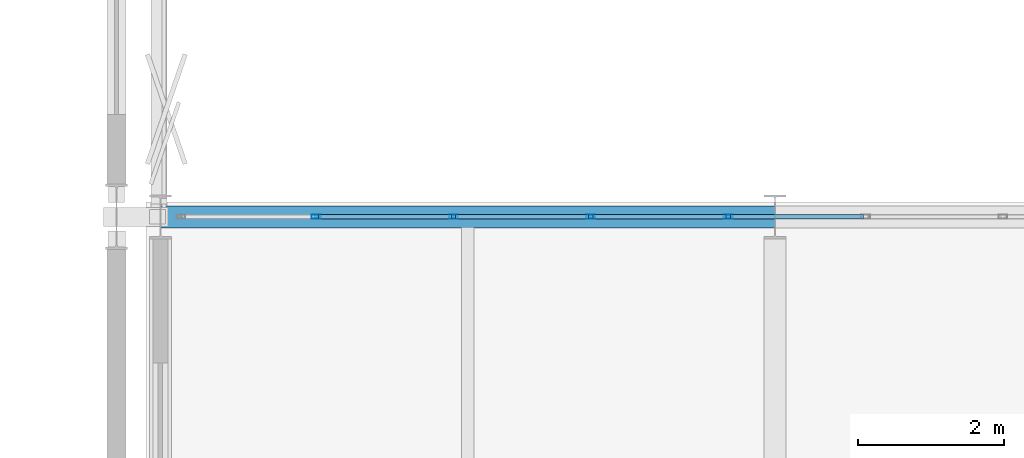
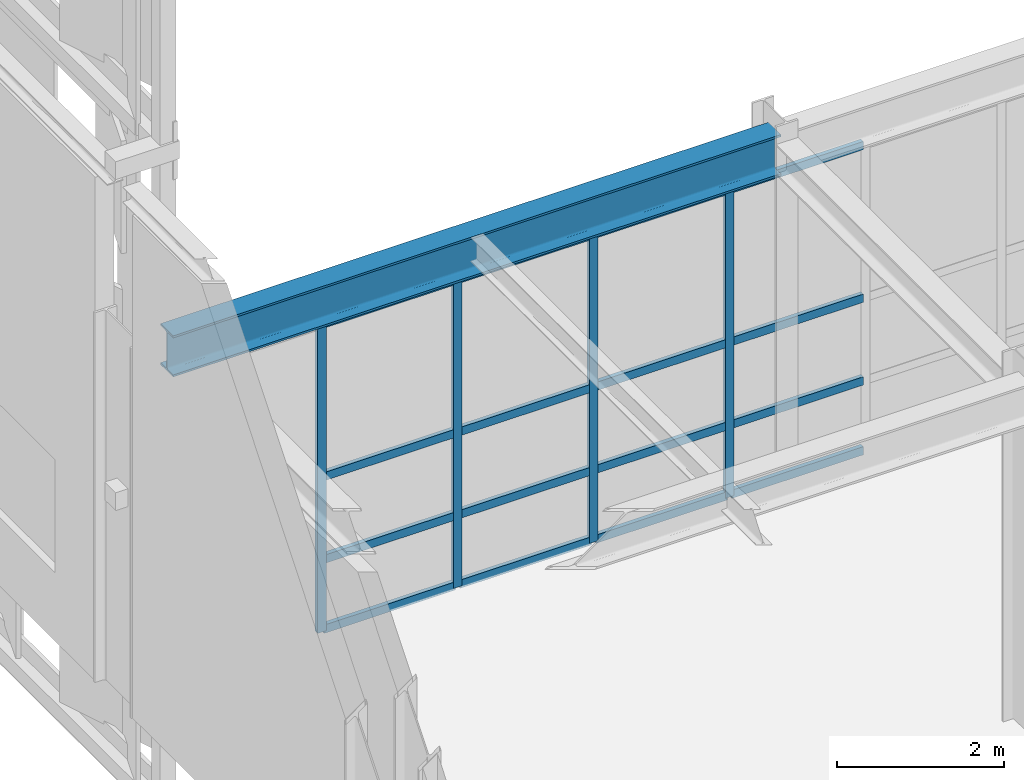
# One storey, part 125 of 210: 20 members, 1 beam, 1 element without a shape of its own.
"""IFC4 building model written with IfcOpenShell, lengths in metres."""

from ifc_helpers import new_model, si_unit, direction, frame, origin, origin_2d, place, context, subcontext, project, spatial, hollow_rectangle, i_section, extrude, material, material_profile, profile_set, type_object, element, aggregate, save


model = new_model("IFC4")

# Units and contexts
model_context = context("Model", 3, precision=1e-05, world=origin(), true_north=direction((0.0, 1.0)))
body_context = subcontext(model_context, "Body", "Model", "MODEL_VIEW")
ifc_project = project(units=[si_unit("LENGTHUNIT", "METRE"), si_unit("AREAUNIT", "SQUARE_METRE"), si_unit("VOLUMEUNIT", "CUBIC_METRE"), si_unit("PLANEANGLEUNIT", "RADIAN"), si_unit("MASSUNIT", "GRAM", prefix="KILO")], contexts=[model_context])

# Site, building, storey
site_placement = place(None, origin())
site = spatial("IfcSite", under=ifc_project, at=site_placement, CompositionType="ELEMENT")
building_placement = place(site_placement, origin())
building = spatial("IfcBuilding", under=site, at=building_placement, Name="Kaldris Quays Convention Centre", CompositionType="ELEMENT")
storey_placement = place(building_placement, frame((0.0, 0.0, 6.0)))
storey = spatial("IfcBuildingStorey", under=building, at=storey_placement, Name="L01", CompositionType="ELEMENT", Elevation=6.0)

# Curtain wall, members
ifc_material_1 = material(Name="Anodized aluminium AW-6060 and triple glazing", Category="aluminium")
curtain_wall_type = type_object("IfcCurtainWallType", Name="UNITISED CURTAIN WALL CW05", PredefinedType="NOTDEFINED", material=ifc_material_1)
curtain_wall_placement = place(storey_placement, origin())
curtain_wall = element("IfcCurtainWall", 1, at=curtain_wall_placement, inside=storey, type_object=curtain_wall_type, Name="L01 Unitised Curtain Wall CW05 140", PredefinedType="NOTDEFINED")
ifc_material_2 = material(Name="Anodized aluminium AW-6060", Category="aluminium")
ifc_material_profile_1 = material_profile(ifc_material_2, hollow_rectangle(XDim=0.06005859375, YDim=0.1201171875, WallThickness=0.00390625, at=origin_2d()), Name="RHS 120x60x4")
ifc_profile_set_1 = profile_set([ifc_material_profile_1], Name="Anodized aluminium AW-6060")
member_type_1 = type_object("IfcMemberType", Name="CURTAIN MULLION CWM3", PredefinedType="MULLION", material=ifc_profile_set_1)
member_1_placement = place(storey_placement, frame((148.727783203125, 116.0, 0.0), z_axis=(0.0, 0.0, 1.0), x_axis=(0.0, 1.0, 0.0)))
member_1 = element("IfcMember", 2, at=member_1_placement, type_object=member_type_1, Name="CW05 mullion 2", PredefinedType="MULLION", context=body_context, shape_type="SweptSolid", body=[
    extrude(hollow_rectangle(XDim=0.06005859375, YDim=0.1201171875, WallThickness=0.00390625, at=origin_2d()), origin(), (0.0, 0.0, 1.0), 4.51806640625),
])
member_2_placement = place(storey_placement, frame((150.60546875, 116.0, 0.0), z_axis=(0.0, 0.0, 1.0), x_axis=(0.0, 1.0, 0.0)))
member_2 = element("IfcMember", 3, at=member_2_placement, type_object=member_type_1, Name="CW05 mullion 3", PredefinedType="MULLION", context=body_context, shape_type="SweptSolid", body=[
    extrude(hollow_rectangle(XDim=0.06005859375, YDim=0.1201171875, WallThickness=0.00390625, at=origin_2d()), origin(), (0.0, 0.0, 1.0), 4.51806640625),
])
member_3_placement = place(storey_placement, frame((152.4833984375, 116.0, 0.0), z_axis=(0.0, 0.0, 1.0), x_axis=(0.0, 1.0, 0.0)))
member_3 = element("IfcMember", 4, at=member_3_placement, type_object=member_type_1, Name="CW05 mullion 4", PredefinedType="MULLION", context=body_context, shape_type="SweptSolid", body=[
    extrude(hollow_rectangle(XDim=0.06005859375, YDim=0.1201171875, WallThickness=0.00390625, at=origin_2d()), origin(), (0.0, 0.0, 1.0), 4.51806640625),
])
member_4_placement = place(storey_placement, frame((154.361083984375, 116.0, 0.0), z_axis=(0.0, 0.0, 1.0), x_axis=(0.0, 1.0, 0.0)))
member_4 = element("IfcMember", 5, at=member_4_placement, type_object=member_type_1, Name="CW05 mullion 5", PredefinedType="MULLION", context=body_context, shape_type="SweptSolid", body=[
    extrude(hollow_rectangle(XDim=0.06005859375, YDim=0.1201171875, WallThickness=0.00390625, at=origin_2d()), origin(), (0.0, 0.0, 1.0), 4.51806640625),
])
ifc_material_profile_2 = material_profile(ifc_material_2, hollow_rectangle(XDim=0.06005859375, YDim=0.1201171875, WallThickness=0.00390625, at=origin_2d()), Name="RHS 120x60x4")
ifc_profile_set_2 = profile_set([ifc_material_profile_2], Name="Anodized aluminium AW-6060")
member_type_2 = type_object("IfcMemberType", Name="CURTAIN TRANSOM CWT1", PredefinedType="USERDEFINED", material=ifc_profile_set_2)
member_5_placement = place(storey_placement, frame((148.7578125, 116.0, 0.030029296875), z_axis=(1.0, 0.0, 0.0), x_axis=(0.0, 1.0, 0.0)))
member_5 = element("IfcMember", 6, at=member_5_placement, type_object=member_type_2, Name="CW05 transom 2.1", ObjectType="TRANSOM", PredefinedType="USERDEFINED", context=body_context, shape_type="SweptSolid", body=[
    extrude(hollow_rectangle(XDim=0.06005859375, YDim=0.1201171875, WallThickness=0.00390625, at=origin_2d()), origin(), (0.0, 0.0, 1.0), 1.817626953125),
])
member_6_placement = place(storey_placement, frame((148.7578125, 116.0, 1.050048828125), z_axis=(1.0, 0.0, 0.0), x_axis=(0.0, 1.0, 0.0)))
member_6 = element("IfcMember", 7, at=member_6_placement, type_object=member_type_2, Name="CW05 transom 2.2", ObjectType="TRANSOM", PredefinedType="USERDEFINED", context=body_context, shape_type="SweptSolid", body=[
    extrude(hollow_rectangle(XDim=0.06005859375, YDim=0.1201171875, WallThickness=0.00390625, at=origin_2d()), origin(), (0.0, 0.0, 1.0), 1.817626953125),
])
member_7_placement = place(storey_placement, frame((148.7578125, 116.0, 2.259033203125), z_axis=(1.0, 0.0, 0.0), x_axis=(0.0, 1.0, 0.0)))
member_7 = element("IfcMember", 8, at=member_7_placement, type_object=member_type_2, Name="CW05 transom 2.3", ObjectType="TRANSOM", PredefinedType="USERDEFINED", context=body_context, shape_type="SweptSolid", body=[
    extrude(hollow_rectangle(XDim=0.06005859375, YDim=0.1201171875, WallThickness=0.00390625, at=origin_2d()), origin(), (0.0, 0.0, 1.0), 1.817626953125),
])
member_8_placement = place(storey_placement, frame((148.7578125, 116.0, 4.488037109375), z_axis=(1.0, 0.0, 0.0), x_axis=(0.0, 1.0, 0.0)))
member_8 = element("IfcMember", 9, at=member_8_placement, type_object=member_type_2, Name="CW05 transom 2.4", ObjectType="TRANSOM", PredefinedType="USERDEFINED", context=body_context, shape_type="SweptSolid", body=[
    extrude(hollow_rectangle(XDim=0.06005859375, YDim=0.1201171875, WallThickness=0.00390625, at=origin_2d()), origin(), (0.0, 0.0, 1.0), 1.817626953125),
])
member_9_placement = place(storey_placement, frame((150.635498046875, 116.0, 0.030029296875), z_axis=(1.0, 0.0, 0.0), x_axis=(0.0, 1.0, 0.0)))
member_9 = element("IfcMember", 10, at=member_9_placement, type_object=member_type_2, Name="CW05 transom 3.1", ObjectType="TRANSOM", PredefinedType="USERDEFINED", context=body_context, shape_type="SweptSolid", body=[
    extrude(hollow_rectangle(XDim=0.06005859375, YDim=0.1201171875, WallThickness=0.00390625, at=origin_2d()), origin(), (0.0, 0.0, 1.0), 1.81787109375),
])
member_10_placement = place(storey_placement, frame((150.635498046875, 116.0, 1.050048828125), z_axis=(1.0, 0.0, 0.0), x_axis=(0.0, 1.0, 0.0)))
member_10 = element("IfcMember", 11, at=member_10_placement, type_object=member_type_2, Name="CW05 transom 3.2", ObjectType="TRANSOM", PredefinedType="USERDEFINED", context=body_context, shape_type="SweptSolid", body=[
    extrude(hollow_rectangle(XDim=0.06005859375, YDim=0.1201171875, WallThickness=0.00390625, at=origin_2d()), origin(), (0.0, 0.0, 1.0), 1.81787109375),
])
member_11_placement = place(storey_placement, frame((150.635498046875, 116.0, 2.259033203125), z_axis=(1.0, 0.0, 0.0), x_axis=(0.0, 1.0, 0.0)))
member_11 = element("IfcMember", 12, at=member_11_placement, type_object=member_type_2, Name="CW05 transom 3.3", ObjectType="TRANSOM", PredefinedType="USERDEFINED", context=body_context, shape_type="SweptSolid", body=[
    extrude(hollow_rectangle(XDim=0.06005859375, YDim=0.1201171875, WallThickness=0.00390625, at=origin_2d()), origin(), (0.0, 0.0, 1.0), 1.81787109375),
])
member_12_placement = place(storey_placement, frame((150.635498046875, 116.0, 4.488037109375), z_axis=(1.0, 0.0, 0.0), x_axis=(0.0, 1.0, 0.0)))
member_12 = element("IfcMember", 13, at=member_12_placement, type_object=member_type_2, Name="CW05 transom 3.4", ObjectType="TRANSOM", PredefinedType="USERDEFINED", context=body_context, shape_type="SweptSolid", body=[
    extrude(hollow_rectangle(XDim=0.06005859375, YDim=0.1201171875, WallThickness=0.00390625, at=origin_2d()), origin(), (0.0, 0.0, 1.0), 1.81787109375),
])
member_13_placement = place(storey_placement, frame((152.513427734375, 116.0, 0.030029296875), z_axis=(1.0, 0.0, 0.0), x_axis=(0.0, 1.0, 0.0)))
member_13 = element("IfcMember", 14, at=member_13_placement, type_object=member_type_2, Name="CW05 transom 4.1", ObjectType="TRANSOM", PredefinedType="USERDEFINED", context=body_context, shape_type="SweptSolid", body=[
    extrude(hollow_rectangle(XDim=0.06005859375, YDim=0.1201171875, WallThickness=0.00390625, at=origin_2d()), origin(), (0.0, 0.0, 1.0), 1.817626953125),
])
member_14_placement = place(storey_placement, frame((152.513427734375, 116.0, 1.050048828125), z_axis=(1.0, 0.0, 0.0), x_axis=(0.0, 1.0, 0.0)))
member_14 = element("IfcMember", 15, at=member_14_placement, type_object=member_type_2, Name="CW05 transom 4.2", ObjectType="TRANSOM", PredefinedType="USERDEFINED", context=body_context, shape_type="SweptSolid", body=[
    extrude(hollow_rectangle(XDim=0.06005859375, YDim=0.1201171875, WallThickness=0.00390625, at=origin_2d()), origin(), (0.0, 0.0, 1.0), 1.817626953125),
])
member_15_placement = place(storey_placement, frame((152.513427734375, 116.0, 2.259033203125), z_axis=(1.0, 0.0, 0.0), x_axis=(0.0, 1.0, 0.0)))
member_15 = element("IfcMember", 16, at=member_15_placement, type_object=member_type_2, Name="CW05 transom 4.3", ObjectType="TRANSOM", PredefinedType="USERDEFINED", context=body_context, shape_type="SweptSolid", body=[
    extrude(hollow_rectangle(XDim=0.06005859375, YDim=0.1201171875, WallThickness=0.00390625, at=origin_2d()), origin(), (0.0, 0.0, 1.0), 1.817626953125),
])
member_16_placement = place(storey_placement, frame((152.513427734375, 116.0, 4.488037109375), z_axis=(1.0, 0.0, 0.0), x_axis=(0.0, 1.0, 0.0)))
member_16 = element("IfcMember", 17, at=member_16_placement, type_object=member_type_2, Name="CW05 transom 4.4", ObjectType="TRANSOM", PredefinedType="USERDEFINED", context=body_context, shape_type="SweptSolid", body=[
    extrude(hollow_rectangle(XDim=0.06005859375, YDim=0.1201171875, WallThickness=0.00390625, at=origin_2d()), origin(), (0.0, 0.0, 1.0), 1.817626953125),
])
member_17_placement = place(storey_placement, frame((154.39111328125, 116.0, 0.030029296875), z_axis=(1.0, 0.0, 0.0), x_axis=(0.0, 1.0, 0.0)))
member_17 = element("IfcMember", 18, at=member_17_placement, type_object=member_type_2, Name="CW05 transom 5.1", ObjectType="TRANSOM", PredefinedType="USERDEFINED", context=body_context, shape_type="SweptSolid", body=[
    extrude(hollow_rectangle(XDim=0.06005859375, YDim=0.1201171875, WallThickness=0.00390625, at=origin_2d()), origin(), (0.0, 0.0, 1.0), 1.81787109375),
])
member_18_placement = place(storey_placement, frame((154.39111328125, 116.0, 1.050048828125), z_axis=(1.0, 0.0, 0.0), x_axis=(0.0, 1.0, 0.0)))
member_18 = element("IfcMember", 19, at=member_18_placement, type_object=member_type_2, Name="CW05 transom 5.2", ObjectType="TRANSOM", PredefinedType="USERDEFINED", context=body_context, shape_type="SweptSolid", body=[
    extrude(hollow_rectangle(XDim=0.06005859375, YDim=0.1201171875, WallThickness=0.00390625, at=origin_2d()), origin(), (0.0, 0.0, 1.0), 1.81787109375),
])
member_19_placement = place(storey_placement, frame((154.39111328125, 116.0, 2.259033203125), z_axis=(1.0, 0.0, 0.0), x_axis=(0.0, 1.0, 0.0)))
member_19 = element("IfcMember", 20, at=member_19_placement, type_object=member_type_2, Name="CW05 transom 5.3", ObjectType="TRANSOM", PredefinedType="USERDEFINED", context=body_context, shape_type="SweptSolid", body=[
    extrude(hollow_rectangle(XDim=0.06005859375, YDim=0.1201171875, WallThickness=0.00390625, at=origin_2d()), origin(), (0.0, 0.0, 1.0), 1.81787109375),
])
member_20_placement = place(storey_placement, frame((154.39111328125, 116.0, 4.488037109375), z_axis=(1.0, 0.0, 0.0), x_axis=(0.0, 1.0, 0.0)))
member_20 = element("IfcMember", 21, at=member_20_placement, type_object=member_type_2, Name="CW05 transom 5.4", ObjectType="TRANSOM", PredefinedType="USERDEFINED", context=body_context, shape_type="SweptSolid", body=[
    extrude(hollow_rectangle(XDim=0.06005859375, YDim=0.1201171875, WallThickness=0.00390625, at=origin_2d()), origin(), (0.0, 0.0, 1.0), 1.81787109375),
])
aggregate(curtain_wall, [member_1, member_2, member_3, member_4, member_5, member_6, member_7, member_8, member_9, member_10, member_11, member_12, member_13, member_14, member_15, member_16, member_17, member_18, member_19, member_20])

# Beam
ifc_material_3 = material(Name="Steel S355J2", Category="steel")
ifc_material_profile_3 = material_profile(ifc_material_3, i_section(OverallWidth=0.300048828125, OverallDepth=0.60009765625, WebThickness=0.015380859375, FlangeThickness=0.030029296875, FilletRadius=0.027099609375, at=origin_2d()), Name="HEB 600")
ifc_profile_set_3 = profile_set([ifc_material_profile_3], Name="Steel S355J2")
beam_type = type_object("IfcBeamType", Name="STRUCTURAL BEAM BM05", PredefinedType="BEAM", material=ifc_profile_set_3)
beam_placement = place(storey_placement, frame((146.601806640625, 116.0, 4.843017578125), z_axis=(1.0, 0.0, 0.0), x_axis=(0.0, 1.0, 0.0)))
element("IfcBeam", 22, at=beam_placement, inside=storey, type_object=beam_type, Name="L01 Girder BM05 51", PredefinedType="BEAM", context=body_context, shape_type="SweptSolid", body=[
    extrude(i_section(OverallWidth=0.300048828125, OverallDepth=0.60009765625, WebThickness=0.015380859375, FlangeThickness=0.030029296875, FilletRadius=0.027099609375, at=origin_2d()), origin(), (0.0, 0.0, 1.0), 8.396484375),
])

save(model, "model.ifc")
